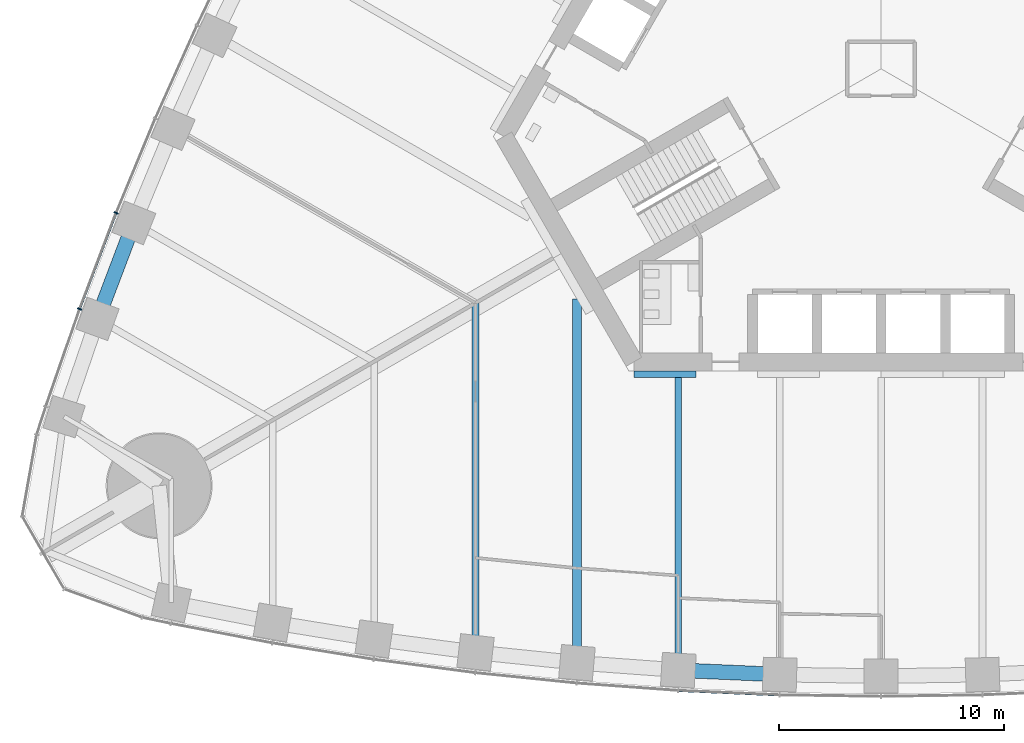
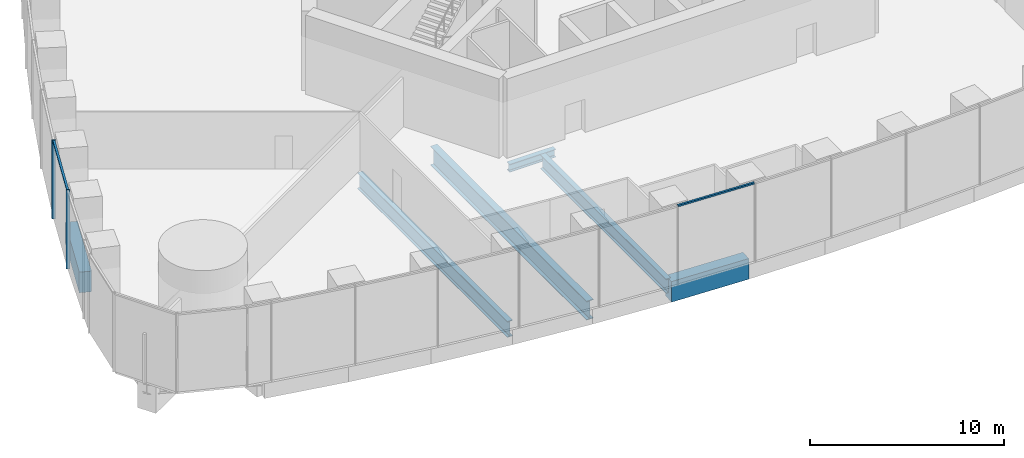
# One storey, part 3 of 21: 6 beams, 4 members, 2 elements without a shape of their own.
"""IFC4 building model written with IfcOpenShell, lengths in metres."""

from ifc_helpers import new_model, si_unit, direction, frame, origin, origin_2d, place, context, subcontext, project, spatial, rectangle, i_section, extrude, material, material_profile, profile_set, type_object, element, aggregate, save


model = new_model("IFC4")

# Units and contexts
model_context = context("Model", 3, precision=1e-05, world=origin(), true_north=direction((0.0, 1.0)))
body_context = subcontext(model_context, "Body", "Model", "MODEL_VIEW")
ifc_project = project(units=[si_unit("LENGTHUNIT", "METRE"), si_unit("AREAUNIT", "SQUARE_METRE"), si_unit("VOLUMEUNIT", "CUBIC_METRE"), si_unit("PLANEANGLEUNIT", "RADIAN"), si_unit("MASSUNIT", "GRAM", prefix="KILO")], contexts=[model_context])

# Site, building, storey
site_placement = place(None, origin())
site = spatial("IfcSite", under=ifc_project, at=site_placement, CompositionType="ELEMENT")
building_placement = place(site_placement, origin())
building = spatial("IfcBuilding", under=site, at=building_placement, Name="Trefoil Bronze Tower", CompositionType="ELEMENT")
storey_placement = place(building_placement, frame((0.0, 0.0, 11.5)))
storey = spatial("IfcBuildingStorey", under=building, at=storey_placement, Name="L02", CompositionType="ELEMENT", Elevation=11.5)

# Curtain wall, members
ifc_material_1 = material(Name="Tinted solar-control glass", Category="glass")
curtain_wall_type = type_object("IfcCurtainWallType", Name="Bronze podium storefront curtain wall", PredefinedType="USERDEFINED", material=ifc_material_1)
curtain_wall_1_placement = place(storey_placement, origin())
curtain_wall_1 = element("IfcCurtainWall", 1, at=curtain_wall_1_placement, inside=storey, type_object=curtain_wall_type, Name="CW-C L02 F3", ObjectType="CURTAIN WALL", PredefinedType="USERDEFINED")
ifc_material_2 = material(Name="Bronze-finish aluminium", Category="aluminium")
ifc_material_profile_1 = material_profile(ifc_material_2, rectangle(XDim=0.199951171875, YDim=0.06005859375, at=origin_2d()), Name="CW-C mullion")
ifc_profile_set_1 = profile_set([ifc_material_profile_1], Name="Bronze-finish aluminium")
member_type_1 = type_object("IfcMemberType", Name="Bronze podium storefront curtain wall mullion", PredefinedType="MULLION", material=ifc_profile_set_1)
member_1_placement = place(storey_placement, frame((-33.953125, -6.394775390625, 0.0), z_axis=(0.0, 0.0, 1.0), x_axis=(0.929413605838, -0.369039766534, 0.0)))
member_1 = element("IfcMember", 2, at=member_1_placement, type_object=member_type_1, Name="CW-C L02 F3 mullion 14", PredefinedType="MULLION", context=body_context, shape_type="SweptSolid", body=[
    extrude(rectangle(XDim=0.199951171875, YDim=0.06005859375, at=origin_2d()), origin(), (0.0, 0.0, 1.0), 4.97998046875),
])
member_2_placement = place(storey_placement, frame((-35.573974609375, -10.658447265625, 0.0), z_axis=(0.0, 0.0, 1.0), x_axis=(0.939860248316, -0.341559238839, 0.0)))
member_2 = element("IfcMember", 3, at=member_2_placement, type_object=member_type_1, Name="CW-C L02 F3 mullion 15", PredefinedType="MULLION", context=body_context, shape_type="SweptSolid", body=[
    extrude(rectangle(XDim=0.199951171875, YDim=0.06005859375, at=origin_2d()), origin(), (0.0, 0.0, 1.0), 4.97998046875),
])

# Curtain wall, member
curtain_wall_2_placement = place(storey_placement, origin())
curtain_wall_2 = element("IfcCurtainWall", 4, at=curtain_wall_2_placement, inside=storey, type_object=curtain_wall_type, Name="CW-C L02 F1", ObjectType="CURTAIN WALL", PredefinedType="USERDEFINED")
ifc_material_3 = material(Name="Bronze-finish aluminium", Category="aluminium")
ifc_material_profile_2 = material_profile(ifc_material_3, rectangle(XDim=0.1201171875, YDim=0.10009765625, at=origin_2d()), Name="CW-C transom")
ifc_profile_set_2 = profile_set([ifc_material_profile_2], Name="Bronze-finish aluminium")
member_type_2 = type_object("IfcMemberType", Name="Bronze podium storefront curtain wall transom", PredefinedType="USERDEFINED", material=ifc_profile_set_2)
member_3_placement = place(storey_placement, frame((-8.974365234375, -27.588623046875, 4.929931640625), z_axis=(0.999053046251, -0.043508743684, 0.0), x_axis=(0.043508743684, 0.999053046251, 0.0)))
member_3 = element("IfcMember", 5, at=member_3_placement, type_object=member_type_2, Name="CW-C L02 F1 transom 7", ObjectType="TRANSOM", PredefinedType="USERDEFINED", context=body_context, shape_type="SweptSolid", body=[
    extrude(rectangle(XDim=0.1201171875, YDim=0.10009765625, at=origin_2d()), origin(), (0.0, 0.0, 1.0), 4.444091796875),
])
aggregate(curtain_wall_2, [member_3])

# Member
member_4_placement = place(storey_placement, frame((-33.96435546875, -6.424072265625, 4.929931640625), z_axis=(-0.355324938334, -0.934742846026, 0.0), x_axis=(0.934742846026, -0.355324938334, 0.0)))
member_4 = element("IfcMember", 6, at=member_4_placement, type_object=member_type_2, Name="CW-C L02 F3 transom 14", ObjectType="TRANSOM", PredefinedType="USERDEFINED", context=body_context, shape_type="SweptSolid", body=[
    extrude(rectangle(XDim=0.1201171875, YDim=0.10009765625, at=origin_2d()), origin(), (0.0, 0.0, 1.0), 4.498291015625),
])

aggregate(curtain_wall_1, [member_1, member_2, member_4])

# Beams
ifc_material_4 = material(Name="Steel C355", Category="steel")
ifc_material_profile_3 = material_profile(ifc_material_4, i_section(OverallWidth=0.300048828125, OverallDepth=0.5, WebThickness=0.014404296875, FlangeThickness=0.028076171875, FilletRadius=0.027099609375, at=origin_2d()), Name="HEB 500")
ifc_profile_set_3 = profile_set([ifc_material_profile_3], Name="Steel C355")
beam_type_1 = type_object("IfcBeamType", Name="Core seat beam HEB 500", PredefinedType="BEAM", material=ifc_profile_set_3)
beam_1_placement = place(storey_placement, frame((-10.9697265625, -13.550048828125, -0.449951171875), z_axis=(1.0, 0.0, 0.0), x_axis=(0.0, 1.0, 0.0)))
element("IfcBeam", 7, at=beam_1_placement, inside=storey, type_object=beam_type_1, Name="Core seat beam F1/-2 L02", PredefinedType="BEAM", context=body_context, shape_type="SweptSolid", body=[
    extrude(i_section(OverallWidth=0.300048828125, OverallDepth=0.5, WebThickness=0.014404296875, FlangeThickness=0.028076171875, FilletRadius=0.027099609375, at=origin_2d()), origin(), (0.0, 0.0, 1.0), 2.742431640625),
])
ifc_material_5 = material(Name="Steel C355", Category="steel")
ifc_material_profile_4 = material_profile(ifc_material_5, i_section(OverallWidth=0.300048828125, OverallDepth=0.89990234375, WebThickness=0.0185546875, FlangeThickness=0.034912109375, FilletRadius=0.030029296875, at=origin_2d()), Name="HEB 900")
ifc_profile_set_4 = profile_set([ifc_material_profile_4], Name="Steel C355")
beam_type_2 = type_object("IfcBeamType", Name="Floor beam HEB 900", PredefinedType="BEAM", material=ifc_profile_set_4)
beam_2_placement = place(storey_placement, frame((-9.0, -26.68603515625, -0.64990234375), z_axis=(0.0, 1.0, 0.0), x_axis=(-1.0, 0.0, 0.0)))
element("IfcBeam", 8, at=beam_2_placement, inside=storey, type_object=beam_type_2, Name="Floor beam F1/-2 L02", PredefinedType="BEAM", context=body_context, shape_type="SweptSolid", body=[
    extrude(i_section(OverallWidth=0.300048828125, OverallDepth=0.89990234375, WebThickness=0.0185546875, FlangeThickness=0.034912109375, FilletRadius=0.030029296875, at=origin_2d()), origin(), (0.0, 0.0, 1.0), 12.986083984375),
])
ifc_material_6 = material(Name="Steel C355", Category="steel")
ifc_material_profile_5 = material_profile(ifc_material_6, i_section(OverallWidth=0.302001953125, OverallDepth=1.008056640625, WebThickness=0.02099609375, FlangeThickness=0.0400390625, FilletRadius=0.030029296875, at=origin_2d()), Name="HEM 1000")
ifc_profile_set_5 = profile_set([ifc_material_profile_5], Name="Steel C355")
beam_type_3 = type_object("IfcBeamType", Name="Floor beam HEM 1000", PredefinedType="BEAM", material=ifc_profile_set_5)
beam_3_placement = place(storey_placement, frame((-18.0, -25.895263671875, -0.7041015625), z_axis=(0.0, 1.0, 0.0), x_axis=(-1.0, 0.0, 0.0)))
element("IfcBeam", 9, at=beam_3_placement, inside=storey, type_object=beam_type_3, Name="Floor beam F1/-4 L02", PredefinedType="BEAM", context=body_context, shape_type="SweptSolid", body=[
    extrude(i_section(OverallWidth=0.302001953125, OverallDepth=1.008056640625, WebThickness=0.02099609375, FlangeThickness=0.0400390625, FilletRadius=0.030029296875, at=origin_2d()), origin(), (0.0, 0.0, 1.0), 15.5029296875),
])
ifc_material_7 = material(Name="Steel C355", Category="steel")
ifc_material_profile_6 = material_profile(ifc_material_7, i_section(OverallWidth=0.39990234375, OverallDepth=1.199951171875, WebThickness=0.02001953125, FlangeThickness=0.0400390625, FilletRadius=0.010009765625, at=origin_2d()), Name="WPG 1200")
ifc_profile_set_6 = profile_set([ifc_material_profile_6], Name="Steel C355")
beam_type_4 = type_object("IfcBeamType", Name="Floor beam WPG 1200", PredefinedType="BEAM", material=ifc_profile_set_6)
beam_4_placement = place(storey_placement, frame((-13.5, -26.35693359375, -0.800048828125), z_axis=(0.0, 1.0, 0.0), x_axis=(-1.0, 0.0, 0.0)))
element("IfcBeam", 10, at=beam_4_placement, inside=storey, type_object=beam_type_4, Name="Floor beam F1/-3 L02", PredefinedType="BEAM", context=body_context, shape_type="SweptSolid", body=[
    extrude(i_section(OverallWidth=0.39990234375, OverallDepth=1.199951171875, WebThickness=0.02001953125, FlangeThickness=0.0400390625, FilletRadius=0.010009765625, at=origin_2d()), origin(), (0.0, 0.0, 1.0), 16.1396484375),
])
ifc_material_8 = material(Name="Concrete B80", Category="concrete")
ifc_material_profile_7 = material_profile(ifc_material_8, rectangle(XDim=0.64990234375, YDim=1.300048828125, at=origin_2d()), Name="RC 650x1300")
ifc_profile_set_7 = profile_set([ifc_material_profile_7], Name="Concrete B80")
beam_type_5 = type_object("IfcBeamType", Name="Spandrel beam RC 650x1300", PredefinedType="SPANDREL", material=ifc_profile_set_7)
beam_5_placement = place(storey_placement, frame((-9.0, -26.68603515625, -0.85009765625), z_axis=(0.999042919826, -0.043740648671, 0.0), x_axis=(0.043740648671, 0.999042919826, 0.0)))
element("IfcBeam", 11, at=beam_5_placement, inside=storey, type_object=beam_type_5, Name="Spandrel F1.7 L02", PredefinedType="SPANDREL", context=body_context, shape_type="SweptSolid", body=[
    extrude(rectangle(XDim=0.64990234375, YDim=1.300048828125, at=origin_2d()), origin(), (0.0, 0.0, 1.0), 4.50439453125),
])
beam_6_placement = place(storey_placement, frame((-33.159912109375, -6.8359375, -0.85009765625), z_axis=(-0.354571899767, -0.935028752443, 0.0), x_axis=(0.935028752443, -0.354571899767, 0.0)))
element("IfcBeam", 12, at=beam_6_placement, inside=storey, type_object=beam_type_5, Name="Spandrel F3.14 L02", PredefinedType="SPANDREL", context=body_context, shape_type="SweptSolid", body=[
    extrude(rectangle(XDim=0.64990234375, YDim=1.300048828125, at=origin_2d()), origin(), (0.0, 0.0, 1.0), 4.558837890625),
])

save(model, "model.ifc")
